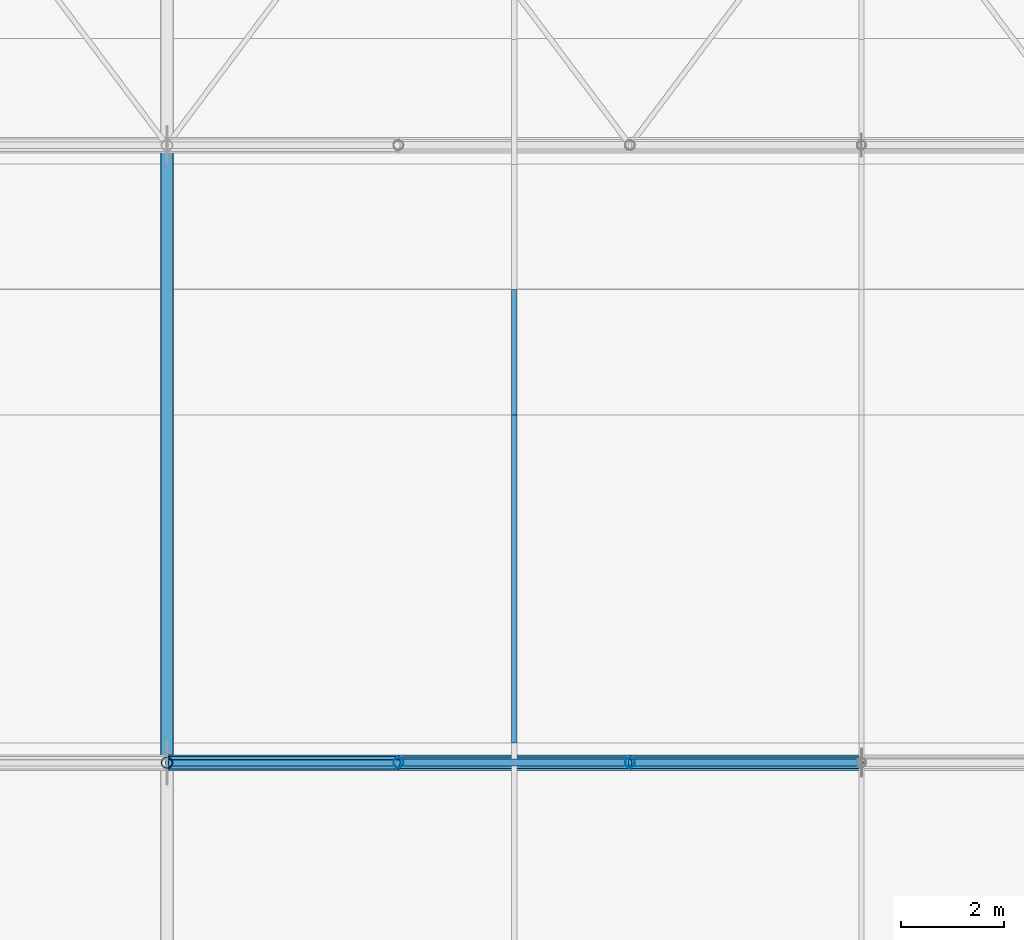
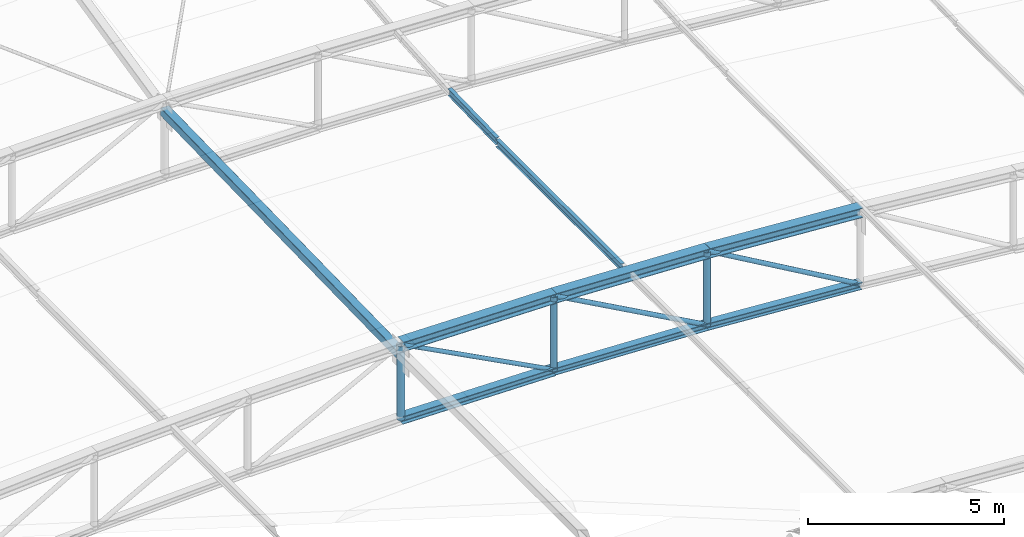
# One storey, part 118 of 262: 15 members.
"""IFC4 building model written with IfcOpenShell, lengths in metres."""

import ifcopenshell
import ifcopenshell.guid

model = None  # the IFC model being written
_history = None  # IfcOwnerHistory: only IFC2X3 demands one
_inside = {}  # id of a spatial element -> (the spatial element, [elements in it])
_under = {}  # id of a project, library or spatial element -> (it, [spatial elements below it])
_declared = {}  # id of a project -> (the project, [libraries it declares])
_typed = {}  # id of a type object -> (the type object, [elements of that type])
_made_of = {}  # id of a material, layer set ... -> (it, [elements and type objects made of it])


def new_model(schema):
    """Start an empty IFC model of exactly this schema.

    Asked for "IFC4X3", IfcOpenShell would pick the latest addendum, in which some entities
    have other attributes; the version numbers below select the first issue.
    IFC2X3 requires an IfcOwnerHistory on every rooted entity: one is made here for all.
    """
    global model, _history
    if schema == "IFC4X3":
        model = ifcopenshell.file(schema_version=(4, 3, 0, 0))
    else:
        model = ifcopenshell.file(schema=schema)
    _inside.clear()
    _under.clear()
    _declared.clear()
    _typed.clear()
    _made_of.clear()
    _history = None
    if model.schema == "IFC2X3":
        org = make("IfcOrganization", Name="unknown")
        user = make(
            "IfcPersonAndOrganization",
            ThePerson=make("IfcPerson", FamilyName="unknown"),
            TheOrganization=org,
        )
        app = make(
            "IfcApplication",
            ApplicationDeveloper=org,
            Version="unknown",
            ApplicationFullName="unknown",
            ApplicationIdentifier="unknown",
        )
        _history = make(
            "IfcOwnerHistory",
            OwningUser=user,
            OwningApplication=app,
            ChangeAction="ADDED",
            CreationDate=0,
        )
    return model


def make(cls, **values):
    """One entity of the class cls with the attributes given. An attribute that is None is left unset."""
    return model.create_entity(
        cls, **{name: value for name, value in values.items() if value is not None}
    )


def rooted(cls, **values):
    """An entity with a GlobalId (a new one), such as an element, a storey or a relation."""
    return make(cls, GlobalId=ifcopenshell.guid.new(), OwnerHistory=_history, **values)


def si_unit(unit_type, name, prefix=None):
    """IfcSIUnit, for example si_unit("LENGTHUNIT", "METRE", prefix="MILLI")."""
    return make("IfcSIUnit", UnitType=unit_type, Prefix=prefix, Name=name)


def derived_unit(unit_type, elements):
    """IfcDerivedUnit: a product of units, each with its exponent."""
    return make(
        "IfcDerivedUnit",
        Elements=[
            make("IfcDerivedUnitElement", Unit=unit, Exponent=power)
            for unit, power in elements
        ],
        UnitType=unit_type,
    )


def assignment(units):
    """IfcUnitAssignment: the units of a project."""
    return None if units is None else make("IfcUnitAssignment", Units=units)


def point(xyz):
    """IfcCartesianPoint."""
    return None if xyz is None else make("IfcCartesianPoint", Coordinates=xyz)


def direction(xyz):
    """IfcDirection."""
    return None if xyz is None else make("IfcDirection", DirectionRatios=xyz)


def frame(location, z_axis=None, x_axis=None):
    """IfcAxis2Placement3D, a coordinate frame: its origin and axes. An axis left out is left unset."""
    return make(
        "IfcAxis2Placement3D",
        Location=point(location),
        Axis=direction(z_axis),
        RefDirection=direction(x_axis),
    )


def frame_2d(location, x_axis=None):
    """IfcAxis2Placement2D, a coordinate frame in the plane: its origin and x axis."""
    return make(
        "IfcAxis2Placement2D", Location=point(location), RefDirection=direction(x_axis)
    )


def origin():
    """The frame at (0, 0, 0) with its axes left unset."""
    return frame((0.0, 0.0, 0.0))


def origin_2d():
    """The frame at (0, 0) in the plane with its x axis left unset."""
    return frame_2d((0.0, 0.0))


def place(relative_to, where):
    """IfcLocalPlacement: puts the frame where relative to a parent placement (None: the world)."""
    return make(
        "IfcLocalPlacement", PlacementRelTo=relative_to, RelativePlacement=where
    )


def context(
    kind, dimensions, precision=None, world=None, true_north=None, identifier=None
):
    """IfcGeometricRepresentationContext, for example the 3D "Model" context."""
    return make(
        "IfcGeometricRepresentationContext",
        ContextIdentifier=identifier,
        ContextType=kind,
        CoordinateSpaceDimension=dimensions,
        Precision=precision,
        WorldCoordinateSystem=world,
        TrueNorth=true_north,
    )


def subcontext(parent, identifier, kind, view, scale=None):
    """IfcGeometricRepresentationSubContext, for example "Body" below "Model"."""
    return make(
        "IfcGeometricRepresentationSubContext",
        ContextIdentifier=identifier,
        ContextType=kind,
        ParentContext=parent,
        TargetScale=scale,
        TargetView=view,
    )


def project(units=None, contexts=None):
    """IfcProject with its units and contexts."""
    return rooted(
        "IfcProject",
        Name="project",
        RepresentationContexts=contexts,
        UnitsInContext=assignment(units),
    )


def spatial(cls, under=None, at=None, **own):
    """A site, building, storey or space (cls), placed at a placement, below another one or the project."""
    s = rooted(cls, ObjectPlacement=at, **own)
    if under is not None:
        _under.setdefault(under.id(), (under, []))[1].append(s)
    return s


def profile(cls, at=None, kind="AREA", **sizes):
    """A parametric profile (cls). Its sizes go by their IFC names, for example OverallWidth=200.0."""
    return make(cls, ProfileType=kind, Position=at, **sizes)


def hollow_rectangle(**sizes):
    """IfcRectangleHollowProfileDef."""
    return profile("IfcRectangleHollowProfileDef", **sizes)


def hollow_circle(**sizes):
    """IfcCircleHollowProfileDef."""
    return profile("IfcCircleHollowProfileDef", **sizes)


def i_section(**sizes):
    """IfcIShapeProfileDef."""
    return profile("IfcIShapeProfileDef", **sizes)


def extrude(swept, where, along, depth):
    """IfcExtrudedAreaSolid: the profile swept, set in the frame where, extruded along a direction by depth."""
    return make(
        "IfcExtrudedAreaSolid",
        SweptArea=swept,
        Position=where,
        ExtrudedDirection=direction(along),
        Depth=depth,
    )


def shape(context_of_items, identifier, shape_type, items):
    """IfcShapeRepresentation: the items that make up one representation, for example the "Body"."""
    return make(
        "IfcShapeRepresentation",
        ContextOfItems=context_of_items,
        RepresentationIdentifier=identifier,
        RepresentationType=shape_type,
        Items=items,
    )


def material(Name=None, Category=None):
    """IfcMaterial."""
    return make("IfcMaterial", Name=Name, Category=Category)


def material_profile(
    of_material, cross_section, Name=None, Category=None, Priority=None
):
    """IfcMaterialProfile: a cross section and its material."""
    return make(
        "IfcMaterialProfile",
        Name=Name,
        Material=of_material,
        Profile=cross_section,
        Priority=Priority,
        Category=Category,
    )


def profile_set(profiles, Name=None, composite=None):
    """IfcMaterialProfileSet."""
    return make(
        "IfcMaterialProfileSet",
        Name=Name,
        MaterialProfiles=profiles,
        CompositeProfile=composite,
    )


def made_of(thing, what):
    """Note that an element or type object is made of a material, layer set ...; save() writes the relation."""
    if what is not None:
        _made_of.setdefault(what.id(), (what, []))[1].append(thing)
    return thing


def type_object(cls, material=None, **own):
    """A type object (cls), such as IfcWallType, which elements share."""
    return made_of(rooted(cls, **own), material)


def element(
    cls,
    number,
    at=None,
    inside=None,
    cuts=None,
    type_object=None,
    material=None,
    context=None,
    identifier="Body",
    shape_type=None,
    held_by="IfcProductDefinitionShape",
    body=None,
    shapes=None,
    **own,
):
    """One element of the class cls, such as IfcWall. Its Tag is "e" and its number.

    at: its placement. inside: the storey or other place that contains it. cuts: it is an
    opening in that element (IfcRelVoidsElement). A single representation is given by context,
    identifier, shape_type and body (its items); several are given by shapes. held_by: the class
    of the entity that holds the representations. save() writes the other relations.
    """
    e = rooted(cls, Tag="e%d" % number, ObjectPlacement=at, **own)
    if body is not None:
        shapes = [shape(context, identifier, shape_type, body)]
    if shapes is not None:
        e.Representation = make(held_by, Representations=shapes)
    if inside is not None:
        _inside.setdefault(inside.id(), (inside, []))[1].append(e)
    if cuts is not None:
        rooted(
            "IfcRelVoidsElement", RelatingBuildingElement=cuts, RelatedOpeningElement=e
        )
    if type_object is not None:
        _typed.setdefault(type_object.id(), (type_object, []))[1].append(e)
    return made_of(e, material)


def aggregate(whole, parts):
    """IfcRelAggregates: a whole, such as a stair, and the parts it consists of."""
    return rooted("IfcRelAggregates", RelatingObject=whole, RelatedObjects=parts)


def save(model, path):
    """Write the relations noted so far, then the file.

    IfcRelAggregates (storeys below a building ...), IfcRelContainedInSpatialStructure (elements
    in a storey), IfcRelDefinesByType, IfcRelAssociatesMaterial and IfcRelDeclares: one each for
    every whole, place, type object, material and project.
    """
    for whole, parts in _under.values():
        aggregate(whole, parts)
    for where, things in _inside.values():
        rooted(
            "IfcRelContainedInSpatialStructure",
            RelatedElements=things,
            RelatingStructure=where,
        )
    for kind, things in _typed.values():
        rooted("IfcRelDefinesByType", RelatedObjects=things, RelatingType=kind)
    for what, things in _made_of.values():
        rooted("IfcRelAssociatesMaterial", RelatedObjects=things, RelatingMaterial=what)
    for by, libraries in _declared.values():
        rooted("IfcRelDeclares", RelatingContext=by, RelatedDefinitions=libraries)
    model.write(path)


model = new_model("IFC4")

# Units and contexts
model_context = context("Model", 3, precision=1e-05, world=origin(), true_north=direction((0.0, 1.0)))
body_context = subcontext(model_context, "Body", "Model", "MODEL_VIEW")
ifc_project = project(units=[si_unit("LENGTHUNIT", "METRE"), si_unit("AREAUNIT", "SQUARE_METRE"), si_unit("VOLUMEUNIT", "CUBIC_METRE"), si_unit("PLANEANGLEUNIT", "RADIAN"), si_unit("MASSUNIT", "GRAM", prefix="KILO"), derived_unit("THERMALTRANSMITTANCEUNIT", [(si_unit("POWERUNIT", "WATT"), 1), (si_unit("LENGTHUNIT", "METRE"), -2), (si_unit("THERMODYNAMICTEMPERATUREUNIT", "KELVIN"), -1)])], contexts=[model_context])

# Site, building, storey
site_placement = place(None, origin())
site = spatial("IfcSite", under=ifc_project, at=site_placement, CompositionType="ELEMENT")
building_placement = place(site_placement, origin())
building = spatial("IfcBuilding", under=site, at=building_placement, Name="Almenara Railside Exhibition Hall", CompositionType="ELEMENT")
storey_placement = place(building_placement, frame((0.0, 0.0, 21.699951171875)))
storey = spatial("IfcBuildingStorey", under=building, at=storey_placement, Name="RF", CompositionType="ELEMENT", Elevation=21.699951171875)

# Members
ifc_material = material(Name="Structural steel S355JR", Category="steel")
ifc_material_profile_1 = material_profile(ifc_material, i_section(OverallWidth=0.239990234375, OverallDepth=0.239990234375, WebThickness=0.010009765625, FlangeThickness=0.01708984375, FilletRadius=0.02099609375, at=origin_2d()), Name="HEB 240")
ifc_profile_set_1 = profile_set([ifc_material_profile_1], Name="Structural steel S355JR")
member_type_1 = type_object("IfcMemberType", Name="Arched Crown Bottom Chord HEB 240 S355JR", PredefinedType="CHORD", material=ifc_profile_set_1)
member_1_placement = place(storey_placement, frame((39.0, 96.0, -0.199951171875), z_axis=(0.999908030213, 0.0, -0.013562120635), x_axis=(0.0, 1.0, 0.0)))
element("IfcMember", 1, at=member_1_placement, inside=storey, type_object=member_type_1, Name="MEM-BC-V1-04-06", PredefinedType="CHORD", context=body_context, shape_type="SweptSolid", body=[
    extrude(i_section(OverallWidth=0.239990234375, OverallDepth=0.239990234375, WebThickness=0.010009765625, FlangeThickness=0.01708984375, FilletRadius=0.02099609375, at=origin_2d()), origin(), (0.0, 0.0, 1.0), 4.50048828125),
])
ifc_material_profile_2 = material_profile(ifc_material, i_section(OverallWidth=0.300048828125, OverallDepth=0.300048828125, WebThickness=0.010986328125, FlangeThickness=0.01904296875, FilletRadius=0.027099609375, at=origin_2d()), Name="HEB 300")
ifc_profile_set_2 = profile_set([ifc_material_profile_2], Name="Structural steel S355JR")
member_type_2 = type_object("IfcMemberType", Name="Arched Inner Top Chord HEB 300 S355JR", PredefinedType="CHORD", material=ifc_profile_set_2)
member_2_placement = place(storey_placement, frame((39.0, 96.0, 2.10009765625), z_axis=(0.999907293085, 0.0, -0.01361635908), x_axis=(0.0, 1.0, 0.0)))
element("IfcMember", 2, at=member_2_placement, inside=storey, type_object=member_type_2, Name="MEM-TC-V1-04-06", PredefinedType="CHORD", context=body_context, shape_type="SweptSolid", body=[
    extrude(i_section(OverallWidth=0.300048828125, OverallDepth=0.300048828125, WebThickness=0.010986328125, FlangeThickness=0.01904296875, FilletRadius=0.027099609375, at=origin_2d()), origin(), (0.0, 0.0, 1.0), 4.50048828125),
])
member_3_placement = place(storey_placement, frame((43.5, 96.0, 2.038818359375), z_axis=(0.999173184279, 0.0, -0.040656460949), x_axis=(0.0, 1.0, 0.0)))
element("IfcMember", 3, at=member_3_placement, inside=storey, type_object=member_type_2, Name="MEM-TC-V1-04-07", PredefinedType="CHORD", context=body_context, shape_type="SweptSolid", body=[
    extrude(i_section(OverallWidth=0.300048828125, OverallDepth=0.300048828125, WebThickness=0.010986328125, FlangeThickness=0.01904296875, FilletRadius=0.027099609375, at=origin_2d()), origin(), (0.0, 0.0, 1.0), 4.503662109375),
])
member_4_placement = place(storey_placement, frame((48.0, 96.0, 1.855712890625), z_axis=(0.997701025897, 0.0, -0.067769188608), x_axis=(0.0, 1.0, 0.0)))
element("IfcMember", 4, at=member_4_placement, inside=storey, type_object=member_type_2, Name="MEM-TC-V1-04-08", PredefinedType="CHORD", context=body_context, shape_type="SweptSolid", body=[
    extrude(i_section(OverallWidth=0.300048828125, OverallDepth=0.300048828125, WebThickness=0.010986328125, FlangeThickness=0.01904296875, FilletRadius=0.027099609375, at=origin_2d()), origin(), (0.0, 0.0, 1.0), 4.51025390625),
])
ifc_material_profile_3 = material_profile(ifc_material, hollow_rectangle(XDim=0.25, YDim=0.25, WallThickness=0.010009765625, InnerFilletRadius=0.010009765625, OuterFilletRadius=0.02001953125, at=origin_2d()), Name="SHS 250x250x10")
ifc_profile_set_3 = profile_set([ifc_material_profile_3], Name="Structural steel S355JR")
member_type_3 = type_object("IfcMemberType", Name="Heavy Gable Sway Strut SHS 250x250x10 S355JR", PredefinedType="BRACE", material=ifc_profile_set_3)
member_5_placement = place(storey_placement, frame((39.0, 96.0, 1.820068359375), z_axis=(0.0, 0.999756898414, 0.022048675087), x_axis=(-1.0, 0.0, 0.0)))
element("IfcMember", 5, at=member_5_placement, inside=storey, type_object=member_type_3, Name="MEM-ES-V1-04", PredefinedType="BRACE", context=body_context, shape_type="SweptSolid", body=[
    extrude(hollow_rectangle(XDim=0.25, YDim=0.25, WallThickness=0.010009765625, InnerFilletRadius=0.010009765625, OuterFilletRadius=0.02001953125, at=origin_2d()), origin(), (0.0, 0.0, 1.0), 12.0029296875),
])
ifc_material_profile_4 = material_profile(ifc_material, i_section(OverallWidth=0.110107421875, OverallDepth=0.219970703125, WebThickness=0.005859375, FlangeThickness=0.00927734375, FilletRadius=0.011962890625, at=origin_2d()), Name="IPE 220")
ifc_profile_set_4 = profile_set([ifc_material_profile_4], Name="Structural steel S355JR")
member_type_4 = type_object("IfcMemberType", Name="Heavy Hall Roof Purlin IPE 220 S355JR", PredefinedType="PURLIN", material=ifc_profile_set_4)
member_6_placement = place(storey_placement, frame((45.75, 96.3798828125, 1.9052734375), z_axis=(0.0, 1.0, 0.0), x_axis=(-1.0, 0.0, 0.0)))
element("IfcMember", 6, at=member_6_placement, inside=storey, type_object=member_type_4, Name="MEM-PR-V1-PR-IPE220-05-15", PredefinedType="PURLIN", context=body_context, shape_type="SweptSolid", body=[
    extrude(i_section(OverallWidth=0.110107421875, OverallDepth=0.219970703125, WebThickness=0.005859375, FlangeThickness=0.00927734375, FilletRadius=0.011962890625, at=origin_2d()), origin(), (0.0, 0.0, 1.0), 6.379638671875),
])
member_7_placement = place(storey_placement, frame((45.75, 102.759521484375, 1.955322265625), z_axis=(0.0, 0.999725289903, 0.023438104182), x_axis=(-1.0, 0.0, 0.0)))
element("IfcMember", 7, at=member_7_placement, inside=storey, type_object=member_type_4, Name="MEM-PR-V1-PR-IPE220-05-16", PredefinedType="PURLIN", context=body_context, shape_type="SweptSolid", body=[
    extrude(i_section(OverallWidth=0.110107421875, OverallDepth=0.219970703125, WebThickness=0.005859375, FlangeThickness=0.00927734375, FilletRadius=0.011962890625, at=origin_2d()), origin(), (0.0, 0.0, 1.0), 2.4375),
])
ifc_material_profile_5 = material_profile(ifc_material, i_section(OverallWidth=0.219970703125, OverallDepth=0.219970703125, WebThickness=0.009521484375, FlangeThickness=0.01611328125, FilletRadius=0.01806640625, at=origin_2d()), Name="HEB 220")
ifc_profile_set_5 = profile_set([ifc_material_profile_5], Name="Structural steel S355JR")
member_type_5 = type_object("IfcMemberType", Name="Scroll Tie Chord HEB 220 S355JR", PredefinedType="CHORD", material=ifc_profile_set_5)
member_8_placement = place(storey_placement, frame((43.5, 96.0, -0.260986328125), z_axis=(0.99917098071, 0.0, -0.04071057978), x_axis=(0.0, 1.0, 0.0)))
element("IfcMember", 8, at=member_8_placement, inside=storey, type_object=member_type_5, Name="MEM-BC-V1-04-07", PredefinedType="CHORD", context=body_context, shape_type="SweptSolid", body=[
    extrude(i_section(OverallWidth=0.219970703125, OverallDepth=0.219970703125, WebThickness=0.009521484375, FlangeThickness=0.01611328125, FilletRadius=0.01806640625, at=origin_2d()), origin(), (0.0, 0.0, 1.0), 4.503662109375),
])
member_9_placement = place(storey_placement, frame((48.0, 96.0, -0.4443359375), z_axis=(0.997701025897, 0.0, -0.067769188608), x_axis=(0.0, 1.0, 0.0)))
element("IfcMember", 9, at=member_9_placement, inside=storey, type_object=member_type_5, Name="MEM-BC-V1-04-08", PredefinedType="CHORD", context=body_context, shape_type="SweptSolid", body=[
    extrude(i_section(OverallWidth=0.219970703125, OverallDepth=0.219970703125, WebThickness=0.009521484375, FlangeThickness=0.01611328125, FilletRadius=0.01806640625, at=origin_2d()), origin(), (0.0, 0.0, 1.0), 4.51025390625),
])
ifc_material_profile_6 = material_profile(ifc_material, hollow_circle(Radius=0.0634765625, WallThickness=0.00439453125, at=origin_2d()), Name="CHS 127.0x4.5")
ifc_profile_set_6 = profile_set([ifc_material_profile_6], Name="Structural steel S355JR")
member_type_6 = type_object("IfcMemberType", Name="Truss Crown Diagonal CHS 127.0x4.5 S355JR", PredefinedType="BRACE", material=ifc_profile_set_6)
member_10_placement = place(storey_placement, frame((39.0, 96.0, 2.10009765625), z_axis=(0.885512555589, 0.0, -0.464615447326), x_axis=(0.0, 1.0, 0.0)))
element("IfcMember", 10, at=member_10_placement, inside=storey, type_object=member_type_6, Name="MEM-TD-V1-04-06", PredefinedType="BRACE", context=body_context, shape_type="SweptSolid", body=[
    extrude(hollow_circle(Radius=0.0634765625, WallThickness=0.00439453125, at=origin_2d()), origin(), (0.0, 0.0, 1.0), 5.081787109375),
])
ifc_material_profile_7 = material_profile(ifc_material, hollow_circle(Radius=0.06982421875, WallThickness=0.0048828125, at=origin_2d()), Name="CHS 139.7x5")
ifc_profile_set_7 = profile_set([ifc_material_profile_7], Name="Structural steel S355JR")
member_type_7 = type_object("IfcMemberType", Name="Truss Inner Diagonal CHS 139.7x5 S355JR", PredefinedType="BRACE", material=ifc_profile_set_7)
member_11_placement = place(storey_placement, frame((43.5, 96.0, 2.038818359375), z_axis=(0.875545119572, 0.0, -0.483136361283), x_axis=(0.0, 1.0, 0.0)))
element("IfcMember", 11, at=member_11_placement, inside=storey, type_object=member_type_7, Name="MEM-TD-V1-04-07", PredefinedType="BRACE", context=body_context, shape_type="SweptSolid", body=[
    extrude(hollow_circle(Radius=0.06982421875, WallThickness=0.0048828125, at=origin_2d()), origin(), (0.0, 0.0, 1.0), 5.1396484375),
])
member_12_placement = place(storey_placement, frame((48.0, 96.0, 1.855712890625), z_axis=(0.865388781224, 0.0, -0.501101045031), x_axis=(0.0, 1.0, 0.0)))
element("IfcMember", 12, at=member_12_placement, inside=storey, type_object=member_type_7, Name="MEM-TD-V1-04-08", PredefinedType="BRACE", context=body_context, shape_type="SweptSolid", body=[
    extrude(hollow_circle(Radius=0.06982421875, WallThickness=0.0048828125, at=origin_2d()), origin(), (0.0, 0.0, 1.0), 5.199951171875),
])
ifc_material_profile_8 = material_profile(ifc_material, hollow_circle(Radius=0.109619140625, WallThickness=0.008056640625, at=origin_2d()), Name="CHS 219.1x8")
ifc_profile_set_8 = profile_set([ifc_material_profile_8], Name="Structural steel S355JR")
member_type_8 = type_object("IfcMemberType", Name="Truss Primary Vertical Strut CHS 219.1x8 S355JR", PredefinedType="BRACE", material=ifc_profile_set_8)
member_13_placement = place(storey_placement, frame((39.0, 96.0, -0.199951171875), z_axis=(0.0, 0.0, 1.0), x_axis=(1.0, 0.0, 0.0)))
element("IfcMember", 13, at=member_13_placement, inside=storey, type_object=member_type_8, Name="MEM-TV-V1-04-06", PredefinedType="BRACE", context=body_context, shape_type="SweptSolid", body=[
    extrude(hollow_circle(Radius=0.109619140625, WallThickness=0.008056640625, at=origin_2d()), origin(), (0.0, 0.0, 1.0), 2.300048828125),
])
ifc_material_profile_9 = material_profile(ifc_material, hollow_circle(Radius=0.096923828125, WallThickness=0.00634765625, at=origin_2d()), Name="CHS 193.7x6.3")
ifc_profile_set_9 = profile_set([ifc_material_profile_9], Name="Structural steel S355JR")
member_type_9 = type_object("IfcMemberType", Name="Truss Standard Vertical Strut CHS 193.7x6.3 S355JR", PredefinedType="BRACE", material=ifc_profile_set_9)
member_14_placement = place(storey_placement, frame((43.5, 96.0, -0.260986328125), z_axis=(0.0, 0.0, 1.0), x_axis=(1.0, 0.0, 0.0)))
element("IfcMember", 14, at=member_14_placement, inside=storey, type_object=member_type_9, Name="MEM-TV-V1-04-07", PredefinedType="BRACE", context=body_context, shape_type="SweptSolid", body=[
    extrude(hollow_circle(Radius=0.096923828125, WallThickness=0.00634765625, at=origin_2d()), origin(), (0.0, 0.0, 1.0), 2.2998046875),
])
member_15_placement = place(storey_placement, frame((48.0, 96.0, -0.4443359375), z_axis=(0.0, 0.0, 1.0), x_axis=(1.0, 0.0, 0.0)))
element("IfcMember", 15, at=member_15_placement, inside=storey, type_object=member_type_9, Name="MEM-TV-V1-04-08", PredefinedType="BRACE", context=body_context, shape_type="SweptSolid", body=[
    extrude(hollow_circle(Radius=0.096923828125, WallThickness=0.00634765625, at=origin_2d()), origin(), (0.0, 0.0, 1.0), 2.300048828125),
])

save(model, "model.ifc")
